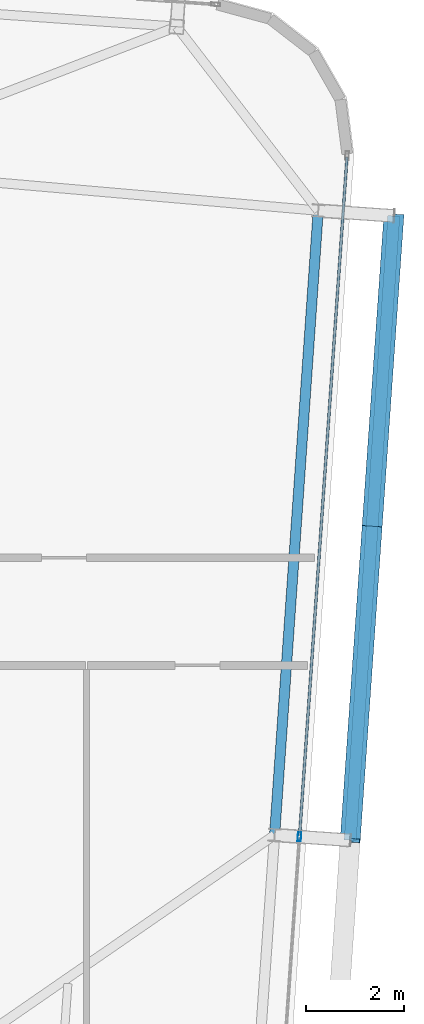
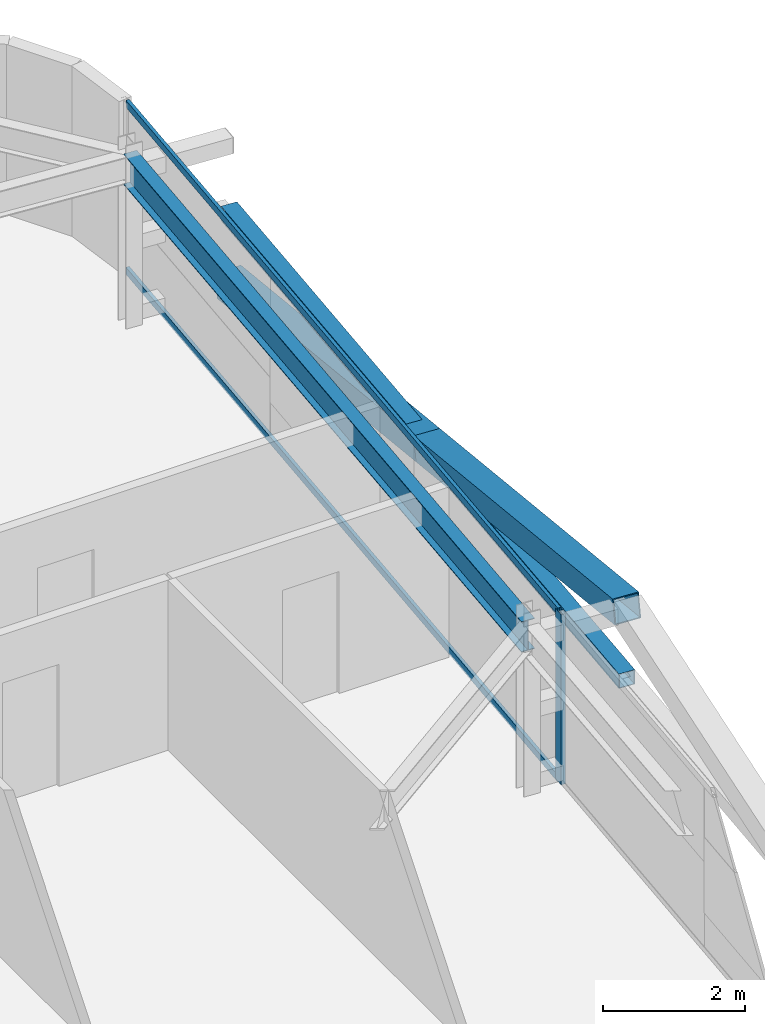
# One storey, part 17 of 39: 6 members, 1 beam, 1 element without a shape of its own.
"""IFC4 building model written with IfcOpenShell, lengths in metres."""

import ifcopenshell
import ifcopenshell.guid

model = None  # the IFC model being written
_history = None  # IfcOwnerHistory: only IFC2X3 demands one
_inside = {}  # id of a spatial element -> (the spatial element, [elements in it])
_under = {}  # id of a project, library or spatial element -> (it, [spatial elements below it])
_declared = {}  # id of a project -> (the project, [libraries it declares])
_typed = {}  # id of a type object -> (the type object, [elements of that type])
_made_of = {}  # id of a material, layer set ... -> (it, [elements and type objects made of it])


def new_model(schema):
    """Start an empty IFC model of exactly this schema.

    Asked for "IFC4X3", IfcOpenShell would pick the latest addendum, in which some entities
    have other attributes; the version numbers below select the first issue.
    IFC2X3 requires an IfcOwnerHistory on every rooted entity: one is made here for all.
    """
    global model, _history
    if schema == "IFC4X3":
        model = ifcopenshell.file(schema_version=(4, 3, 0, 0))
    else:
        model = ifcopenshell.file(schema=schema)
    _inside.clear()
    _under.clear()
    _declared.clear()
    _typed.clear()
    _made_of.clear()
    _history = None
    if model.schema == "IFC2X3":
        org = make("IfcOrganization", Name="unknown")
        user = make(
            "IfcPersonAndOrganization",
            ThePerson=make("IfcPerson", FamilyName="unknown"),
            TheOrganization=org,
        )
        app = make(
            "IfcApplication",
            ApplicationDeveloper=org,
            Version="unknown",
            ApplicationFullName="unknown",
            ApplicationIdentifier="unknown",
        )
        _history = make(
            "IfcOwnerHistory",
            OwningUser=user,
            OwningApplication=app,
            ChangeAction="ADDED",
            CreationDate=0,
        )
    return model


def make(cls, **values):
    """One entity of the class cls with the attributes given. An attribute that is None is left unset."""
    return model.create_entity(
        cls, **{name: value for name, value in values.items() if value is not None}
    )


def rooted(cls, **values):
    """An entity with a GlobalId (a new one), such as an element, a storey or a relation."""
    return make(cls, GlobalId=ifcopenshell.guid.new(), OwnerHistory=_history, **values)


def si_unit(unit_type, name, prefix=None):
    """IfcSIUnit, for example si_unit("LENGTHUNIT", "METRE", prefix="MILLI")."""
    return make("IfcSIUnit", UnitType=unit_type, Prefix=prefix, Name=name)


def assignment(units):
    """IfcUnitAssignment: the units of a project."""
    return None if units is None else make("IfcUnitAssignment", Units=units)


def point(xyz):
    """IfcCartesianPoint."""
    return None if xyz is None else make("IfcCartesianPoint", Coordinates=xyz)


def direction(xyz):
    """IfcDirection."""
    return None if xyz is None else make("IfcDirection", DirectionRatios=xyz)


def frame(location, z_axis=None, x_axis=None):
    """IfcAxis2Placement3D, a coordinate frame: its origin and axes. An axis left out is left unset."""
    return make(
        "IfcAxis2Placement3D",
        Location=point(location),
        Axis=direction(z_axis),
        RefDirection=direction(x_axis),
    )


def frame_2d(location, x_axis=None):
    """IfcAxis2Placement2D, a coordinate frame in the plane: its origin and x axis."""
    return make(
        "IfcAxis2Placement2D", Location=point(location), RefDirection=direction(x_axis)
    )


def origin():
    """The frame at (0, 0, 0) with its axes left unset."""
    return frame((0.0, 0.0, 0.0))


def origin_2d():
    """The frame at (0, 0) in the plane with its x axis left unset."""
    return frame_2d((0.0, 0.0))


def place(relative_to, where):
    """IfcLocalPlacement: puts the frame where relative to a parent placement (None: the world)."""
    return make(
        "IfcLocalPlacement", PlacementRelTo=relative_to, RelativePlacement=where
    )


def context(
    kind, dimensions, precision=None, world=None, true_north=None, identifier=None
):
    """IfcGeometricRepresentationContext, for example the 3D "Model" context."""
    return make(
        "IfcGeometricRepresentationContext",
        ContextIdentifier=identifier,
        ContextType=kind,
        CoordinateSpaceDimension=dimensions,
        Precision=precision,
        WorldCoordinateSystem=world,
        TrueNorth=true_north,
    )


def subcontext(parent, identifier, kind, view, scale=None):
    """IfcGeometricRepresentationSubContext, for example "Body" below "Model"."""
    return make(
        "IfcGeometricRepresentationSubContext",
        ContextIdentifier=identifier,
        ContextType=kind,
        ParentContext=parent,
        TargetScale=scale,
        TargetView=view,
    )


def project(units=None, contexts=None):
    """IfcProject with its units and contexts."""
    return rooted(
        "IfcProject",
        Name="project",
        RepresentationContexts=contexts,
        UnitsInContext=assignment(units),
    )


def spatial(cls, under=None, at=None, **own):
    """A site, building, storey or space (cls), placed at a placement, below another one or the project."""
    s = rooted(cls, ObjectPlacement=at, **own)
    if under is not None:
        _under.setdefault(under.id(), (under, []))[1].append(s)
    return s


def profile(cls, at=None, kind="AREA", **sizes):
    """A parametric profile (cls). Its sizes go by their IFC names, for example OverallWidth=200.0."""
    return make(cls, ProfileType=kind, Position=at, **sizes)


def hollow_rectangle(**sizes):
    """IfcRectangleHollowProfileDef."""
    return profile("IfcRectangleHollowProfileDef", **sizes)


def i_section(**sizes):
    """IfcIShapeProfileDef."""
    return profile("IfcIShapeProfileDef", **sizes)


def extrude(swept, where, along, depth):
    """IfcExtrudedAreaSolid: the profile swept, set in the frame where, extruded along a direction by depth."""
    return make(
        "IfcExtrudedAreaSolid",
        SweptArea=swept,
        Position=where,
        ExtrudedDirection=direction(along),
        Depth=depth,
    )


def shape(context_of_items, identifier, shape_type, items):
    """IfcShapeRepresentation: the items that make up one representation, for example the "Body"."""
    return make(
        "IfcShapeRepresentation",
        ContextOfItems=context_of_items,
        RepresentationIdentifier=identifier,
        RepresentationType=shape_type,
        Items=items,
    )


def source(mapping_origin, context_of_items, identifier, shape_type, items):
    """IfcRepresentationMap: a shape defined once, which mapped items show again and again."""
    return make(
        "IfcRepresentationMap",
        MappingOrigin=mapping_origin,
        MappedRepresentation=shape(context_of_items, identifier, shape_type, items),
    )


def transform(
    local_origin,
    x_axis=None,
    y_axis=None,
    z_axis=None,
    scale=None,
    scale2=None,
    scale3=None,
    uniform=True,
):
    """IfcCartesianTransformationOperator3D, or its non-uniform kind. x_axis, y_axis, z_axis: its Axis1, 2, 3."""
    if uniform:
        return make(
            "IfcCartesianTransformationOperator3D",
            Axis1=direction(x_axis),
            Axis2=direction(y_axis),
            LocalOrigin=point(local_origin),
            Scale=scale,
            Axis3=direction(z_axis),
        )
    return make(
        "IfcCartesianTransformationOperator3DnonUniform",
        Axis1=direction(x_axis),
        Axis2=direction(y_axis),
        LocalOrigin=point(local_origin),
        Scale=scale,
        Axis3=direction(z_axis),
        Scale2=scale2,
        Scale3=scale3,
    )


def mapped(mapping_source, mapping_target):
    """IfcMappedItem: shows the shape of a source again, moved by a transform."""
    return make(
        "IfcMappedItem", MappingSource=mapping_source, MappingTarget=mapping_target
    )


def material(Name=None, Category=None):
    """IfcMaterial."""
    return make("IfcMaterial", Name=Name, Category=Category)


def layer(
    of_material, thickness, ventilated=None, Name=None, Category=None, Priority=None
):
    """IfcMaterialLayer: one layer of a wall or slab, of a material (None: an air gap)."""
    return make(
        "IfcMaterialLayer",
        Material=of_material,
        LayerThickness=thickness,
        IsVentilated=ventilated,
        Name=Name,
        Category=Category,
        Priority=Priority,
    )


def layer_set(layers, Name=None):
    """IfcMaterialLayerSet."""
    return make("IfcMaterialLayerSet", MaterialLayers=layers, LayerSetName=Name)


def material_profile(
    of_material, cross_section, Name=None, Category=None, Priority=None
):
    """IfcMaterialProfile: a cross section and its material."""
    return make(
        "IfcMaterialProfile",
        Name=Name,
        Material=of_material,
        Profile=cross_section,
        Priority=Priority,
        Category=Category,
    )


def profile_set(profiles, Name=None, composite=None):
    """IfcMaterialProfileSet."""
    return make(
        "IfcMaterialProfileSet",
        Name=Name,
        MaterialProfiles=profiles,
        CompositeProfile=composite,
    )


def made_of(thing, what):
    """Note that an element or type object is made of a material, layer set ...; save() writes the relation."""
    if what is not None:
        _made_of.setdefault(what.id(), (what, []))[1].append(thing)
    return thing


def type_object(cls, material=None, **own):
    """A type object (cls), such as IfcWallType, which elements share."""
    return made_of(rooted(cls, **own), material)


def element(
    cls,
    number,
    at=None,
    inside=None,
    cuts=None,
    type_object=None,
    material=None,
    context=None,
    identifier="Body",
    shape_type=None,
    held_by="IfcProductDefinitionShape",
    body=None,
    shapes=None,
    **own,
):
    """One element of the class cls, such as IfcWall. Its Tag is "e" and its number.

    at: its placement. inside: the storey or other place that contains it. cuts: it is an
    opening in that element (IfcRelVoidsElement). A single representation is given by context,
    identifier, shape_type and body (its items); several are given by shapes. held_by: the class
    of the entity that holds the representations. save() writes the other relations.
    """
    e = rooted(cls, Tag="e%d" % number, ObjectPlacement=at, **own)
    if body is not None:
        shapes = [shape(context, identifier, shape_type, body)]
    if shapes is not None:
        e.Representation = make(held_by, Representations=shapes)
    if inside is not None:
        _inside.setdefault(inside.id(), (inside, []))[1].append(e)
    if cuts is not None:
        rooted(
            "IfcRelVoidsElement", RelatingBuildingElement=cuts, RelatedOpeningElement=e
        )
    if type_object is not None:
        _typed.setdefault(type_object.id(), (type_object, []))[1].append(e)
    return made_of(e, material)


def aggregate(whole, parts):
    """IfcRelAggregates: a whole, such as a stair, and the parts it consists of."""
    return rooted("IfcRelAggregates", RelatingObject=whole, RelatedObjects=parts)


def save(model, path):
    """Write the relations noted so far, then the file.

    IfcRelAggregates (storeys below a building ...), IfcRelContainedInSpatialStructure (elements
    in a storey), IfcRelDefinesByType, IfcRelAssociatesMaterial and IfcRelDeclares: one each for
    every whole, place, type object, material and project.
    """
    for whole, parts in _under.values():
        aggregate(whole, parts)
    for where, things in _inside.values():
        rooted(
            "IfcRelContainedInSpatialStructure",
            RelatedElements=things,
            RelatingStructure=where,
        )
    for kind, things in _typed.values():
        rooted("IfcRelDefinesByType", RelatedObjects=things, RelatingType=kind)
    for what, things in _made_of.values():
        rooted("IfcRelAssociatesMaterial", RelatedObjects=things, RelatingMaterial=what)
    for by, libraries in _declared.values():
        rooted("IfcRelDeclares", RelatingContext=by, RelatedDefinitions=libraries)
    model.write(path)


model = new_model("IFC4")

# Units and contexts
model_context = context("Model", 3, precision=1e-05, world=origin(), true_north=direction((0.0, 1.0)))
body_context = subcontext(model_context, "Body", "Model", "MODEL_VIEW")
ifc_project = project(units=[si_unit("LENGTHUNIT", "METRE"), si_unit("AREAUNIT", "SQUARE_METRE"), si_unit("VOLUMEUNIT", "CUBIC_METRE"), si_unit("PLANEANGLEUNIT", "RADIAN"), si_unit("MASSUNIT", "GRAM", prefix="KILO")], contexts=[model_context])

# Site, building, storey
site_placement = place(None, origin())
site = spatial("IfcSite", under=ifc_project, at=site_placement, CompositionType="ELEMENT")
building_placement = place(site_placement, origin())
building = spatial("IfcBuilding", under=site, at=building_placement, Name="Taldren Reach Tower", CompositionType="ELEMENT")
storey_placement = place(building_placement, frame((0.0, 0.0, 158.199951171875)))
storey = spatial("IfcBuildingStorey", under=building, at=storey_placement, Name="L48", CompositionType="ELEMENT", Elevation=158.199951171875)

# Beam
ifc_material_1 = material(Name="Steel Gr 350 (350PLUS)", Category="steel")
ifc_material_profile_1 = material_profile(ifc_material_1, i_section(OverallWidth=0.208984375, OverallDepth=0.528076171875, WebThickness=0.009521484375, FlangeThickness=0.01318359375, at=origin_2d()), Name="530UB82.0")
ifc_profile_set_1 = profile_set([ifc_material_profile_1], Name="Steel Gr 350 (350PLUS)")
beam_type = type_object("IfcBeamType", Name="SP-UB530B", PredefinedType="SPANDREL", material=ifc_profile_set_1)
shared_shape_1 = source(origin(), body_context, "Body", "SweptSolid", [
    extrude(i_section(OverallWidth=0.208984375, OverallDepth=0.528076171875, WebThickness=0.009521484375, FlangeThickness=0.01318359375, at=origin_2d()), origin(), (0.0, 0.0, 1.0), 12.800048828125),
])
beam_placement = place(storey_placement, frame((60.438232421875, 18.331787109375, 2.666015625), z_axis=(0.069751876777, 0.9975643717, 0.0), x_axis=(-0.9975643717, 0.069751876777, 0.0)))
element("IfcBeam", 1, at=beam_placement, inside=storey, type_object=beam_type, Name="Perimeter spandrel B3 E2-E3 L48", PredefinedType="SPANDREL", context=body_context, shape_type="MappedRepresentation", body=[
    mapped(shared_shape_1, transform((0.0, 0.0, 0.0), scale=1.0)),
])

# Members
ifc_material_2 = material(Name="Steel Gr 350 (C350L0)", Category="steel")
ifc_material_profile_2 = material_profile(ifc_material_2, hollow_rectangle(XDim=0.25, YDim=0.25, WallThickness=0.010009765625, at=origin_2d()), Name="250x250x10.0SHS")
ifc_profile_set_2 = profile_set([ifc_material_profile_2], Name="Steel Gr 350 (C350L0)")
member_type_1 = type_object("IfcMemberType", Name="MB-POST250", PredefinedType="POST", material=ifc_profile_set_2)
shared_shape_2 = source(origin(), body_context, "Body", "SweptSolid", [
    extrude(hollow_rectangle(XDim=0.25, YDim=0.25, WallThickness=0.010009765625, at=origin_2d()), origin(), (0.0, 0.0, 1.0), 12.800048828125),
])
member_1_placement = place(storey_placement, frame((61.984375, 18.2236328125, 1.43505859375), z_axis=(0.069770857464, 0.997563044348, 0.0), x_axis=(-0.997563044348, 0.069770857464, 0.0)))
element("IfcMember", 2, at=member_1_placement, inside=storey, type_object=member_type_1, Name="Exoskeleton mid-height ring chord B3-E2 L48", PredefinedType="POST", context=body_context, shape_type="MappedRepresentation", body=[
    mapped(shared_shape_2, transform((0.0, 0.0, 0.0), scale=1.0)),
])
ifc_material_3 = material(Name="Steel Gr 450 (C450L0)", Category="steel")
ifc_material_profile_3 = material_profile(ifc_material_3, hollow_rectangle(XDim=0.409912109375, YDim=0.409912109375, WallThickness=0.01611328125, at=origin_2d()), Name="410x410x16.0SHS")
ifc_profile_set_3 = profile_set([ifc_material_profile_3], Name="Steel Gr 450 (C450L0)")
member_type_2 = type_object("IfcMemberType", Name="MB-EXO406", PredefinedType="BRACE", material=ifc_profile_set_3)
shared_shape_3 = source(origin(), body_context, "Body", "SweptSolid", [
    extrude(hollow_rectangle(XDim=0.409912109375, YDim=0.409912109375, WallThickness=0.01611328125, at=origin_2d()), origin(), (0.0, 0.0, 1.0), 6.514404296875),
])
member_2_placement = place(storey_placement, frame((62.87744140625, 30.992431640625, 0.219970703125), z_axis=(-0.068545126831, -0.980056649402, 0.186522195865), x_axis=(0.997563137195, -0.069769529958, 0.0)))
element("IfcMember", 3, at=member_2_placement, inside=storey, type_object=member_type_2, Name="Exoskeleton Diagrid Brace B3-E2 L48", PredefinedType="BRACE", context=body_context, shape_type="MappedRepresentation", body=[
    mapped(shared_shape_3, transform((0.0, 0.0, 0.0), scale=1.0)),
])
shared_shape_4 = source(origin(), body_context, "Body", "SweptSolid", [
    extrude(hollow_rectangle(XDim=0.409912109375, YDim=0.409912109375, WallThickness=0.01611328125, at=origin_2d()), origin(), (0.0, 0.0, 1.0), 6.51416015625),
])
member_3_placement = place(storey_placement, frame((62.430908203125, 24.60791015625, 1.43505859375), z_axis=(-0.068547644544, -0.980055169399, 0.186529046964), x_axis=(0.997562951496, -0.069772185021, 0.0)))
element("IfcMember", 4, at=member_3_placement, inside=storey, type_object=member_type_2, Name="Exoskeleton Diagrid Brace B3-E2 L48", PredefinedType="BRACE", context=body_context, shape_type="MappedRepresentation", body=[
    mapped(shared_shape_4, transform((0.0, 0.0, 0.0), scale=1.0)),
])

# Curtain wall, members
ifc_material_4 = material(Name="Aluminium and Low-E Glass Unitised System", Category="aluminium")
ifc_layer = layer(ifc_material_4, 0.159912109375)
ifc_layer_set = layer_set([ifc_layer], Name="Aluminium and Low-E Glass Unitised System")
curtain_wall_type = type_object("IfcCurtainWallType", Name="CW-SYS-4", PredefinedType="NOTDEFINED", material=ifc_layer_set)
curtain_wall_placement = place(storey_placement, origin())
curtain_wall = element("IfcCurtainWall", 5, at=curtain_wall_placement, inside=storey, type_object=curtain_wall_type, Name="Unitised curtain wall CW-L48-E", PredefinedType="NOTDEFINED")
ifc_material_5 = material(Name="Anodised Aluminium 6063-T6", Category="aluminium")
ifc_material_profile_4 = material_profile(ifc_material_5, hollow_rectangle(XDim=0.054931640625, YDim=0.1201171875, WallThickness=0.0029296875, at=origin_2d()), Name="ALU-120x55x3RHS")
ifc_profile_set_4 = profile_set([ifc_material_profile_4], Name="Anodised Aluminium 6063-T6")
member_type_3 = type_object("IfcMemberType", Name="CW-TRN-135", PredefinedType="USERDEFINED", material=ifc_profile_set_4)
shared_shape_5 = source(origin(), body_context, "Body", "SweptSolid", [
    extrude(hollow_rectangle(XDim=0.054931640625, YDim=0.1201171875, WallThickness=0.0029296875, at=origin_2d()), origin(), (0.0, 0.0, 1.0), 13.89501953125),
])
member_4_placement = place(storey_placement, frame((60.949462890625, 18.3310546875, 0.027587890625), z_axis=(0.069754817075, 0.997564166104, 0.0), x_axis=(-0.997564166104, 0.069754817075, 0.0)))
member_4 = element("IfcMember", 6, at=member_4_placement, type_object=member_type_3, Name="CW-4 transom 2.1", ObjectType="TRANSOM", PredefinedType="USERDEFINED", context=body_context, shape_type="MappedRepresentation", body=[
    mapped(shared_shape_5, transform((0.0, 0.0, 0.0), scale=1.0)),
])
member_5_placement = place(storey_placement, frame((60.949462890625, 18.3310546875, 2.902587890625), z_axis=(0.069754817075, 0.997564166104, 0.0), x_axis=(-0.997564166104, 0.069754817075, 0.0)))
member_5 = element("IfcMember", 7, at=member_5_placement, type_object=member_type_3, Name="CW-4 transom 2.2", ObjectType="TRANSOM", PredefinedType="USERDEFINED", context=body_context, shape_type="MappedRepresentation", body=[
    mapped(shared_shape_5, transform((0.0, 0.0, 0.0), scale=1.0)),
])
ifc_material_profile_5 = material_profile(ifc_material_5, hollow_rectangle(XDim=0.070068359375, YDim=0.179931640625, WallThickness=0.00390625, at=origin_2d()), Name="ALU-180x70x4RHS")
ifc_profile_set_5 = profile_set([ifc_material_profile_5], Name="Anodised Aluminium 6063-T6")
member_type_4 = type_object("IfcMemberType", Name="CW-MUL-180", PredefinedType="MULLION", material=ifc_profile_set_5)
shared_shape_6 = source(origin(), body_context, "Body", "SweptSolid", [
    extrude(hollow_rectangle(XDim=0.070068359375, YDim=0.179931640625, WallThickness=0.00390625, at=origin_2d()), origin(), (0.0, 0.0, 1.0), 2.929931640625),
])
member_6_placement = place(storey_placement, frame((60.947021484375, 18.296142578125, 0.0), z_axis=(0.0, 0.0, 1.0), x_axis=(-0.997564052812, 0.069756437251, 0.0)))
member_6 = element("IfcMember", 8, at=member_6_placement, type_object=member_type_4, Name="CW-4 mullion 2", PredefinedType="MULLION", context=body_context, shape_type="MappedRepresentation", body=[
    mapped(shared_shape_6, transform((0.0, 0.0, 0.0), scale=1.0)),
])
aggregate(curtain_wall, [member_6, member_4, member_5])

save(model, "model.ifc")
